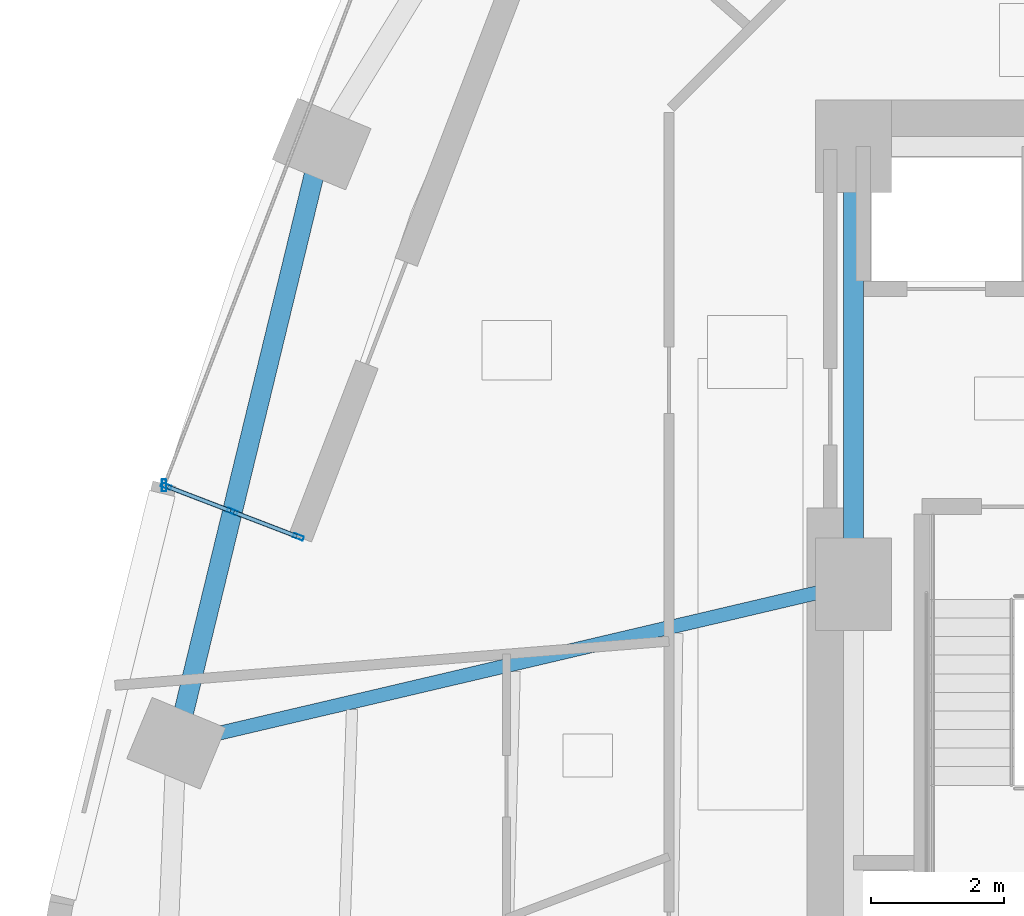
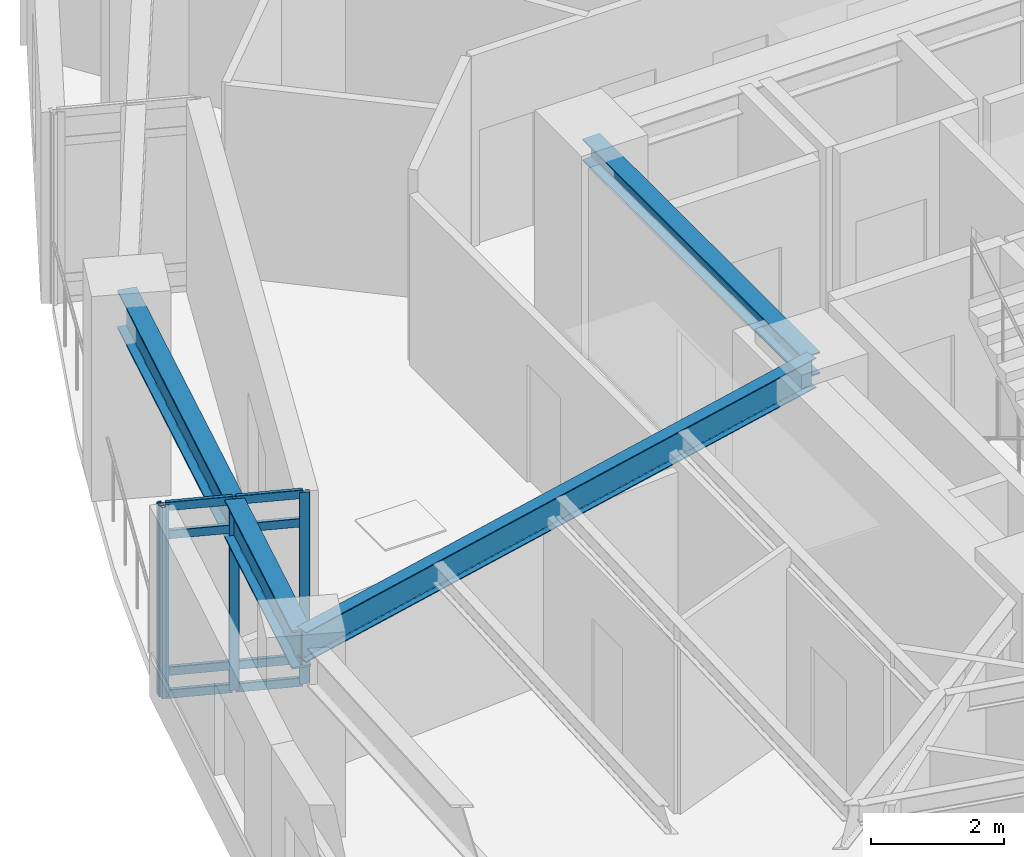
# One storey, part 2 of 12: 12 members, 3 beams, 1 element without a shape of its own.
"""IFC4 building model written with IfcOpenShell, lengths in metres."""

from ifc_helpers import new_model, si_unit, direction, frame, origin, origin_2d, place, context, subcontext, project, spatial, hollow_rectangle, i_section, extrude, material, layer, layer_set, material_profile, profile_set, type_object, element, aggregate, save


model = new_model("IFC4")

# Units and contexts
model_context = context("Model", 3, precision=1e-05, world=origin(), true_north=direction((0.0, 1.0)))
body_context = subcontext(model_context, "Body", "Model", "MODEL_VIEW")
ifc_project = project(units=[si_unit("LENGTHUNIT", "METRE"), si_unit("AREAUNIT", "SQUARE_METRE"), si_unit("VOLUMEUNIT", "CUBIC_METRE"), si_unit("PLANEANGLEUNIT", "RADIAN"), si_unit("MASSUNIT", "GRAM", prefix="KILO")], contexts=[model_context])

# Site, building, storey
site_placement = place(None, origin())
site = spatial("IfcSite", under=ifc_project, at=site_placement, CompositionType="ELEMENT")
building_placement = place(site_placement, origin())
building = spatial("IfcBuilding", under=site, at=building_placement, Name="Ndelora Gate Hotel", CompositionType="ELEMENT")
storey_placement = place(building_placement, frame((0.0, 0.0, 64.25)))
storey = spatial("IfcBuildingStorey", under=building, at=storey_placement, Name="L15", CompositionType="ELEMENT", Elevation=64.25)

# Beams
ifc_material_1 = material(Name="Steel S355", Category="steel")
ifc_material_profile_1 = material_profile(ifc_material_1, i_section(OverallWidth=0.300048828125, OverallDepth=0.39990234375, WebThickness=0.013427734375, FlangeThickness=0.02392578125, FilletRadius=0.027099609375, at=origin_2d()), Name="HEB 400")
ifc_profile_set_1 = profile_set([ifc_material_profile_1], Name="Steel S355")
beam_type_1 = type_object("IfcBeamType", Name="BM-CORE-400", PredefinedType="BEAM", material=ifc_profile_set_1)
beam_1_placement = place(storey_placement, frame((-8.0, 0.0, 3.300048828125), z_axis=(0.0, 1.0, 0.0), x_axis=(-1.0, 0.0, 0.0)))
element("IfcBeam", 1, at=beam_1_placement, inside=storey, type_object=beam_type_1, Name="L15 Core Tie Girder CC8-CC7", PredefinedType="BEAM", context=body_context, shape_type="SweptSolid", body=[
    extrude(i_section(OverallWidth=0.300048828125, OverallDepth=0.39990234375, WebThickness=0.013427734375, FlangeThickness=0.02392578125, FilletRadius=0.027099609375, at=origin_2d()), origin(), (0.0, 0.0, 1.0), 6.60009765625),
])
ifc_material_profile_2 = material_profile(ifc_material_1, i_section(OverallWidth=0.2099609375, OverallDepth=0.550048828125, WebThickness=0.010986328125, FlangeThickness=0.01708984375, FilletRadius=0.02392578125, at=origin_2d()), Name="IPE 550")
ifc_profile_set_2 = profile_set([ifc_material_profile_2], Name="Steel S355")
beam_type_2 = type_object("IfcBeamType", Name="BM-RAD-550", PredefinedType="BEAM", material=ifc_profile_set_2)
beam_2_placement = place(storey_placement, frame((-8.0, 0.0, 3.22509765625), z_axis=(-0.973517848051, -0.22861102232, 0.0), x_axis=(0.22861102232, -0.973517848051, 0.0)))
element("IfcBeam", 2, at=beam_2_placement, inside=storey, type_object=beam_type_2, Name="L15 Radial Floor Girder 4", PredefinedType="BEAM", context=body_context, shape_type="SweptSolid", body=[
    extrude(i_section(OverallWidth=0.2099609375, OverallDepth=0.550048828125, WebThickness=0.010986328125, FlangeThickness=0.01708984375, FilletRadius=0.02392578125, at=origin_2d()), origin(), (0.0, 0.0, 1.0), 10.48486328125),
])
ifc_material_profile_3 = material_profile(ifc_material_1, i_section(OverallWidth=0.300048828125, OverallDepth=0.699951171875, WebThickness=0.01708984375, FlangeThickness=0.031982421875, FilletRadius=0.027099609375, at=origin_2d()), Name="HEB 700")
ifc_profile_set_3 = profile_set([ifc_material_profile_3], Name="Steel S355")
beam_type_3 = type_object("IfcBeamType", Name="BM-RING-700", PredefinedType="SPANDREL", material=ifc_profile_set_3)
beam_3_placement = place(storey_placement, frame((-16.016845703125, 6.634521484375, 3.14990234375), z_axis=(-0.235699273714, -0.971826040179, 0.0), x_axis=(0.971826040179, -0.235699273714, 0.0)))
element("IfcBeam", 3, at=beam_3_placement, inside=storey, type_object=beam_type_3, Name="L15 Perimeter Spandrel Girder 3", PredefinedType="SPANDREL", context=body_context, shape_type="SweptSolid", body=[
    extrude(i_section(OverallWidth=0.300048828125, OverallDepth=0.699951171875, WebThickness=0.01708984375, FlangeThickness=0.031982421875, FilletRadius=0.027099609375, at=origin_2d()), origin(), (0.0, 0.0, 1.0), 9.293212890625),
])

# Curtain wall, members
ifc_material_2 = material(Name="Bronze Anodised Unitised Aluminium and Low-E Glass", Category="aluminium")
ifc_layer = layer(ifc_material_2, 0.199951171875)
ifc_layer_set = layer_set([ifc_layer], Name="Bronze Anodised Unitised Aluminium and Low-E Glass")
curtain_wall_type = type_object("IfcCurtainWallType", Name="CW-SYS-3", PredefinedType="NOTDEFINED", material=ifc_layer_set)
curtain_wall_placement = place(storey_placement, origin())
curtain_wall = element("IfcCurtainWall", 4, at=curtain_wall_placement, inside=storey, type_object=curtain_wall_type, Name="L15 Sky-Garden Loggia Side Curtain Wall CW3-2", PredefinedType="NOTDEFINED")
ifc_material_3 = material(Name="Bronze Anodised Aluminium 6063-T6", Category="aluminium")
ifc_material_profile_4 = material_profile(ifc_material_3, hollow_rectangle(XDim=0.06494140625, YDim=0.159912109375, WallThickness=0.00390625, InnerFilletRadius=0.00390625, OuterFilletRadius=0.008056640625, at=origin_2d()), Name="ALU 160x65x4")
ifc_profile_set_4 = profile_set([ifc_material_profile_4], Name="Bronze Anodised Aluminium 6063-T6")
member_type_1 = type_object("IfcMemberType", Name="MB-CW-MUL150", PredefinedType="MULLION", material=ifc_profile_set_4)
member_1_placement = place(storey_placement, frame((-18.359130859375, 1.4775390625, -0.00390625), z_axis=(0.0, 0.0, 1.0), x_axis=(0.35837589096, 0.933577378035, 0.0)))
member_1 = element("IfcMember", 5, at=member_1_placement, type_object=member_type_1, Name="CW3 mullion 1", PredefinedType="MULLION", context=body_context, shape_type="SweptSolid", body=[
    extrude(hollow_rectangle(XDim=0.06494140625, YDim=0.159912109375, WallThickness=0.00390625, InnerFilletRadius=0.00390625, OuterFilletRadius=0.008056640625, at=origin_2d()), origin(), (0.0, 0.0, 1.0), 3.5078125),
])
member_2_placement = place(storey_placement, frame((-17.362548828125, 1.094970703125, -0.00390625), z_axis=(0.0, 0.0, 1.0), x_axis=(0.35837589096, 0.933577378035, 0.0)))
member_2 = element("IfcMember", 6, at=member_2_placement, type_object=member_type_1, Name="CW3 mullion 2", PredefinedType="MULLION", context=body_context, shape_type="SweptSolid", body=[
    extrude(hollow_rectangle(XDim=0.06494140625, YDim=0.159912109375, WallThickness=0.00390625, InnerFilletRadius=0.00390625, OuterFilletRadius=0.008056640625, at=origin_2d()), origin(), (0.0, 0.0, 1.0), 3.5078125),
])
member_3_placement = place(storey_placement, frame((-16.365966796875, 0.71240234375, -0.00390625), z_axis=(0.0, 0.0, 1.0), x_axis=(0.35837589096, 0.933577378035, 0.0)))
member_3 = element("IfcMember", 7, at=member_3_placement, type_object=member_type_1, Name="CW3 mullion 3", PredefinedType="MULLION", context=body_context, shape_type="SweptSolid", body=[
    extrude(hollow_rectangle(XDim=0.06494140625, YDim=0.159912109375, WallThickness=0.00390625, InnerFilletRadius=0.00390625, OuterFilletRadius=0.008056640625, at=origin_2d()), origin(), (0.0, 0.0, 1.0), 3.5078125),
])
ifc_material_profile_5 = material_profile(ifc_material_3, hollow_rectangle(XDim=0.070068359375, YDim=0.179931640625, WallThickness=0.0048828125, InnerFilletRadius=0.0048828125, OuterFilletRadius=0.010009765625, at=origin_2d()), Name="ALU 180x70x5")
ifc_profile_set_5 = profile_set([ifc_material_profile_5], Name="Bronze Anodised Aluminium 6063-T6")
member_type_2 = type_object("IfcMemberType", Name="MB-CW-MUL180", PredefinedType="MULLION", material=ifc_profile_set_5)
member_4_placement = place(storey_placement, frame((-18.389404296875, 1.489013671875, 0.0), z_axis=(0.0, 0.0, 1.0), x_axis=(1.0, 0.0, 0.0)))
member_4 = element("IfcMember", 8, at=member_4_placement, type_object=member_type_2, Name="L15 Sky-Garden Loggia Corner Mullion Post 2", PredefinedType="MULLION", context=body_context, shape_type="SweptSolid", body=[
    extrude(hollow_rectangle(XDim=0.070068359375, YDim=0.179931640625, WallThickness=0.0048828125, InnerFilletRadius=0.0048828125, OuterFilletRadius=0.010009765625, at=origin_2d()), origin(), (0.0, 0.0, 1.0), 3.5),
])
ifc_material_profile_6 = material_profile(ifc_material_3, hollow_rectangle(XDim=0.06494140625, YDim=0.159912109375, WallThickness=0.00390625, InnerFilletRadius=0.00390625, OuterFilletRadius=0.008056640625, at=origin_2d()), Name="ALU 160x65x4")
ifc_profile_set_6 = profile_set([ifc_material_profile_6], Name="Bronze Anodised Aluminium 6063-T6")
member_type_3 = type_object("IfcMemberType", Name="MB-CW-TRN150", PredefinedType="USERDEFINED", material=ifc_profile_set_6)
member_5_placement = place(storey_placement, frame((-18.33447265625, 1.468017578125, 0.032470703125), z_axis=(0.93358111833, -0.358366147253, 0.0), x_axis=(0.358366147253, 0.93358111833, 0.0)))
member_5 = element("IfcMember", 9, at=member_5_placement, type_object=member_type_3, Name="CW3 transom 1.1", ObjectType="TRANSOM", PredefinedType="USERDEFINED", context=body_context, shape_type="SweptSolid", body=[
    extrude(hollow_rectangle(XDim=0.06494140625, YDim=0.159912109375, WallThickness=0.00390625, InnerFilletRadius=0.00390625, OuterFilletRadius=0.008056640625, at=origin_2d()), origin(), (0.0, 0.0, 1.0), 1.014404296875),
])
member_6_placement = place(storey_placement, frame((-18.33447265625, 1.468017578125, 0.449951171875), z_axis=(0.93358111833, -0.358366147253, 0.0), x_axis=(0.358366147253, 0.93358111833, 0.0)))
member_6 = element("IfcMember", 10, at=member_6_placement, type_object=member_type_3, Name="CW3 transom 1.2", ObjectType="TRANSOM", PredefinedType="USERDEFINED", context=body_context, shape_type="SweptSolid", body=[
    extrude(hollow_rectangle(XDim=0.06494140625, YDim=0.159912109375, WallThickness=0.00390625, InnerFilletRadius=0.00390625, OuterFilletRadius=0.008056640625, at=origin_2d()), origin(), (0.0, 0.0, 1.0), 1.014404296875),
])
member_7_placement = place(storey_placement, frame((-18.33447265625, 1.468017578125, 2.949951171875), z_axis=(0.93358111833, -0.358366147253, 0.0), x_axis=(0.358366147253, 0.93358111833, 0.0)))
member_7 = element("IfcMember", 11, at=member_7_placement, type_object=member_type_3, Name="CW3 transom 1.3", ObjectType="TRANSOM", PredefinedType="USERDEFINED", context=body_context, shape_type="SweptSolid", body=[
    extrude(hollow_rectangle(XDim=0.06494140625, YDim=0.159912109375, WallThickness=0.00390625, InnerFilletRadius=0.00390625, OuterFilletRadius=0.008056640625, at=origin_2d()), origin(), (0.0, 0.0, 1.0), 1.014404296875),
])
member_8_placement = place(storey_placement, frame((-18.33447265625, 1.468017578125, 3.467529296875), z_axis=(0.93358111833, -0.358366147253, 0.0), x_axis=(0.358366147253, 0.93358111833, 0.0)))
member_8 = element("IfcMember", 12, at=member_8_placement, type_object=member_type_3, Name="CW3 transom 1.4", ObjectType="TRANSOM", PredefinedType="USERDEFINED", context=body_context, shape_type="SweptSolid", body=[
    extrude(hollow_rectangle(XDim=0.06494140625, YDim=0.159912109375, WallThickness=0.00390625, InnerFilletRadius=0.00390625, OuterFilletRadius=0.008056640625, at=origin_2d()), origin(), (0.0, 0.0, 1.0), 1.014404296875),
])
member_9_placement = place(storey_placement, frame((-17.337890625, 1.08544921875, 0.032470703125), z_axis=(0.93358111833, -0.358366147253, 0.0), x_axis=(0.358366147253, 0.93358111833, 0.0)))
member_9 = element("IfcMember", 13, at=member_9_placement, type_object=member_type_3, Name="CW3 transom 2.1", ObjectType="TRANSOM", PredefinedType="USERDEFINED", context=body_context, shape_type="SweptSolid", body=[
    extrude(hollow_rectangle(XDim=0.06494140625, YDim=0.159912109375, WallThickness=0.00390625, InnerFilletRadius=0.00390625, OuterFilletRadius=0.008056640625, at=origin_2d()), origin(), (0.0, 0.0, 1.0), 1.014404296875),
])
member_10_placement = place(storey_placement, frame((-17.337890625, 1.08544921875, 0.449951171875), z_axis=(0.93358111833, -0.358366147253, 0.0), x_axis=(0.358366147253, 0.93358111833, 0.0)))
member_10 = element("IfcMember", 14, at=member_10_placement, type_object=member_type_3, Name="CW3 transom 2.2", ObjectType="TRANSOM", PredefinedType="USERDEFINED", context=body_context, shape_type="SweptSolid", body=[
    extrude(hollow_rectangle(XDim=0.06494140625, YDim=0.159912109375, WallThickness=0.00390625, InnerFilletRadius=0.00390625, OuterFilletRadius=0.008056640625, at=origin_2d()), origin(), (0.0, 0.0, 1.0), 1.014404296875),
])
member_11_placement = place(storey_placement, frame((-17.337890625, 1.08544921875, 2.949951171875), z_axis=(0.93358111833, -0.358366147253, 0.0), x_axis=(0.358366147253, 0.93358111833, 0.0)))
member_11 = element("IfcMember", 15, at=member_11_placement, type_object=member_type_3, Name="CW3 transom 2.3", ObjectType="TRANSOM", PredefinedType="USERDEFINED", context=body_context, shape_type="SweptSolid", body=[
    extrude(hollow_rectangle(XDim=0.06494140625, YDim=0.159912109375, WallThickness=0.00390625, InnerFilletRadius=0.00390625, OuterFilletRadius=0.008056640625, at=origin_2d()), origin(), (0.0, 0.0, 1.0), 1.014404296875),
])
member_12_placement = place(storey_placement, frame((-17.337890625, 1.08544921875, 3.467529296875), z_axis=(0.93358111833, -0.358366147253, 0.0), x_axis=(0.358366147253, 0.93358111833, 0.0)))
member_12 = element("IfcMember", 16, at=member_12_placement, type_object=member_type_3, Name="CW3 transom 2.4", ObjectType="TRANSOM", PredefinedType="USERDEFINED", context=body_context, shape_type="SweptSolid", body=[
    extrude(hollow_rectangle(XDim=0.06494140625, YDim=0.159912109375, WallThickness=0.00390625, InnerFilletRadius=0.00390625, OuterFilletRadius=0.008056640625, at=origin_2d()), origin(), (0.0, 0.0, 1.0), 1.014404296875),
])
aggregate(curtain_wall, [member_1, member_2, member_3, member_5, member_6, member_7, member_8, member_9, member_10, member_11, member_12, member_4])

save(model, "model.ifc")
